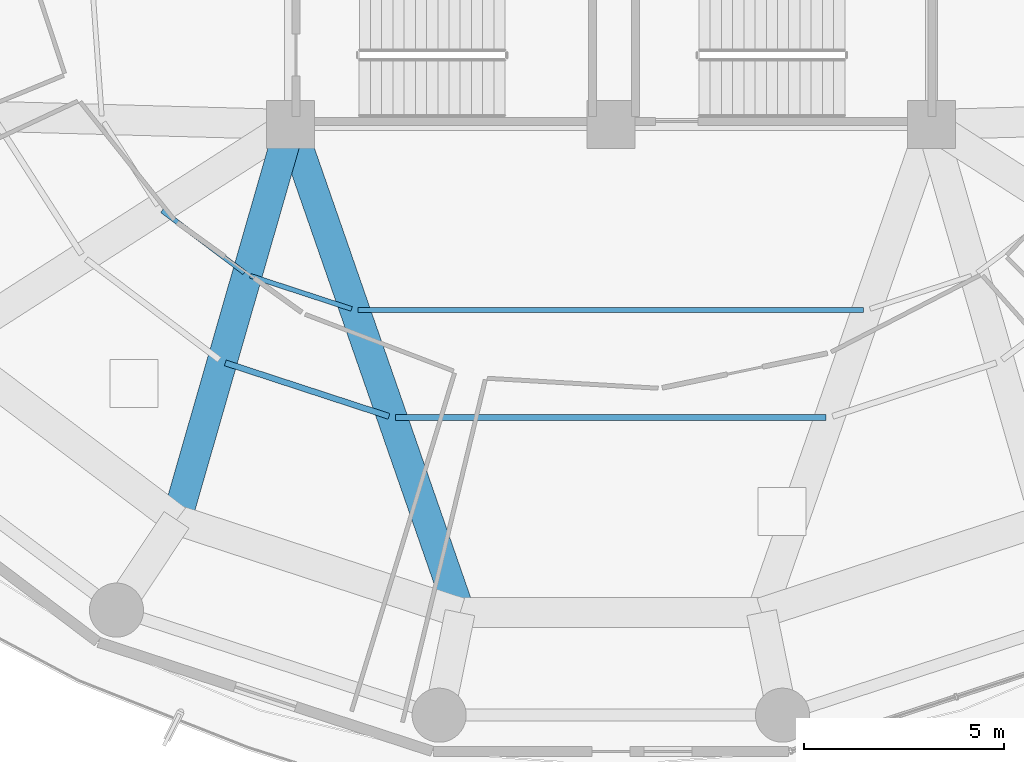
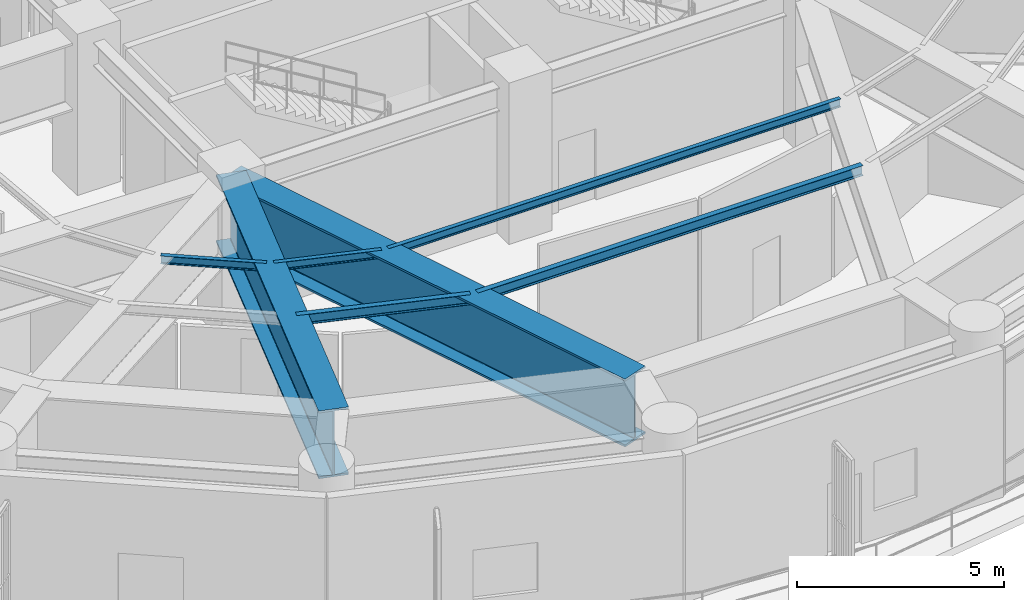
# One storey, part 5 of 34: 7 beams.
"""IFC4 building model written with IfcOpenShell, lengths in metres."""

from ifc_helpers import new_model, si_unit, direction, frame, origin, origin_2d, place, context, subcontext, project, spatial, i_section, extrude, material, material_profile, profile_set, type_object, element, save


model = new_model("IFC4")

# Units and contexts
model_context = context("Model", 3, precision=1e-05, world=origin(), true_north=direction((0.0, 1.0)))
body_context = subcontext(model_context, "Body", "Model", "MODEL_VIEW")
ifc_project = project(units=[si_unit("LENGTHUNIT", "METRE"), si_unit("AREAUNIT", "SQUARE_METRE"), si_unit("VOLUMEUNIT", "CUBIC_METRE"), si_unit("PLANEANGLEUNIT", "RADIAN"), si_unit("MASSUNIT", "GRAM", prefix="KILO")], contexts=[model_context])

# Site, building, storey
site_placement = place(None, origin())
site = spatial("IfcSite", under=ifc_project, at=site_placement, CompositionType="ELEMENT")
building_placement = place(site_placement, origin())
building = spatial("IfcBuilding", under=site, at=building_placement, Name="Kelanora Arch Commons", CompositionType="ELEMENT")
storey_placement = place(building_placement, frame((0.0, 0.0, 125.10009765625)))
storey = spatial("IfcBuildingStorey", under=building, at=storey_placement, Name="L32", CompositionType="ELEMENT", Elevation=125.10009765625)

# Beams
ifc_material = material(Name="Steel S355", Category="steel")
ifc_material_profile_1 = material_profile(ifc_material, i_section(OverallWidth=0.14990234375, OverallDepth=0.300048828125, WebThickness=0.007080078125, FlangeThickness=0.0107421875, FilletRadius=0.014892578125, at=origin_2d()), Name="IPE300")
ifc_profile_set_1 = profile_set([ifc_material_profile_1], Name="Steel S355")
beam_type_1 = type_object("IfcBeamType", Name="BM-JST-01", PredefinedType="JOIST", material=ifc_profile_set_1)
beam_1_placement = place(storey_placement, frame((64.376708984375, 45.051513671875, 4.2099609375), z_axis=(0.950469179307, -0.310818820518, 0.0), x_axis=(0.310818820518, 0.950469179307, 0.0)))
element("IfcBeam", 1, at=beam_1_placement, inside=storey, type_object=beam_type_1, Name="Secondary Chord Joist BJB-24 L32", PredefinedType="JOIST", context=body_context, shape_type="SweptSolid", body=[
    extrude(i_section(OverallWidth=0.14990234375, OverallDepth=0.300048828125, WebThickness=0.007080078125, FlangeThickness=0.0107421875, FilletRadius=0.014892578125, at=origin_2d()), origin(), (0.0, 0.0, 1.0), 4.296630859375),
])
beam_2_placement = place(storey_placement, frame((68.626220703125, 43.689453125, 4.2099609375), z_axis=(1.0, 0.0, 0.0), x_axis=(0.0, 1.0, 0.0)))
element("IfcBeam", 2, at=beam_2_placement, inside=storey, type_object=beam_type_1, Name="Secondary Chord Joist BJB-26 L32", PredefinedType="JOIST", context=body_context, shape_type="SweptSolid", body=[
    extrude(i_section(OverallWidth=0.14990234375, OverallDepth=0.300048828125, WebThickness=0.007080078125, FlangeThickness=0.0107421875, FilletRadius=0.014892578125, at=origin_2d()), origin(), (0.0, 0.0, 1.0), 10.74755859375),
])
ifc_material_profile_2 = material_profile(ifc_material, i_section(OverallWidth=0.1201171875, OverallDepth=0.239990234375, WebThickness=0.006103515625, FlangeThickness=0.009765625, FilletRadius=0.014892578125, at=origin_2d()), Name="IPE240")
ifc_profile_set_2 = profile_set([ifc_material_profile_2], Name="Steel S355")
beam_type_2 = type_object("IfcBeamType", Name="BM-JST-02", PredefinedType="JOIST", material=ifc_profile_set_2)
beam_3_placement = place(storey_placement, frame((62.796875, 48.8505859375, 4.239990234375), z_axis=(0.798484118859, -0.602015873487, 0.0), x_axis=(0.602015873487, 0.798484118859, 0.0)))
element("IfcBeam", 3, at=beam_3_placement, inside=storey, type_object=beam_type_2, Name="Secondary Chord Joist BJA-22 L32", PredefinedType="JOIST", context=body_context, shape_type="SweptSolid", body=[
    extrude(i_section(OverallWidth=0.1201171875, OverallDepth=0.239990234375, WebThickness=0.006103515625, FlangeThickness=0.009765625, FilletRadius=0.014892578125, at=origin_2d()), origin(), (0.0, 0.0, 1.0), 2.57470703125),
])
beam_4_placement = place(storey_placement, frame((65.001708984375, 47.222900390625, 4.239990234375), z_axis=(0.950458806818, -0.310850537302, 0.0), x_axis=(0.310850537302, 0.950458806818, 0.0)))
element("IfcBeam", 4, at=beam_4_placement, inside=storey, type_object=beam_type_2, Name="Secondary Chord Joist BJA-24 L32", PredefinedType="JOIST", context=body_context, shape_type="SweptSolid", body=[
    extrude(i_section(OverallWidth=0.1201171875, OverallDepth=0.239990234375, WebThickness=0.006103515625, FlangeThickness=0.009765625, FilletRadius=0.014892578125, at=origin_2d()), origin(), (0.0, 0.0, 1.0), 2.658447265625),
])
beam_5_placement = place(storey_placement, frame((67.6943359375, 46.3701171875, 4.239990234375), z_axis=(1.0, 0.0, 0.0), x_axis=(0.0, 1.0, 0.0)))
element("IfcBeam", 5, at=beam_5_placement, inside=storey, type_object=beam_type_2, Name="Secondary Chord Joist BJA-26 L32", PredefinedType="JOIST", context=body_context, shape_type="SweptSolid", body=[
    extrude(i_section(OverallWidth=0.1201171875, OverallDepth=0.239990234375, WebThickness=0.006103515625, FlangeThickness=0.009765625, FilletRadius=0.014892578125, at=origin_2d()), origin(), (0.0, 0.0, 1.0), 12.611328125),
])
ifc_material_profile_3 = material_profile(ifc_material, i_section(OverallWidth=0.75, OverallDepth=2.0, WebThickness=0.034912109375, FlangeThickness=0.06005859375, FilletRadius=0.028076171875, at=origin_2d()), Name="PG2000x750")
ifc_profile_set_3 = profile_set([ifc_material_profile_3], Name="Steel S355")
beam_type_3 = type_object("IfcBeamType", Name="BM-XFER-SET", PredefinedType="USERDEFINED", material=ifc_profile_set_3)
beam_6_placement = place(storey_placement, frame((66.0, 51.0, 3.35986328125), z_axis=(-0.276525880065, -0.961006471182, 0.0), x_axis=(0.961006471182, -0.276525880065, 0.0)))
element("IfcBeam", 6, at=beam_6_placement, inside=storey, type_object=beam_type_3, Name="Setback Radial Transfer Girder BRI-24 L32", ObjectType="TRANSFER_GIRDER", PredefinedType="USERDEFINED", context=body_context, shape_type="SweptSolid", body=[
    extrude(i_section(OverallWidth=0.75, OverallDepth=2.0, WebThickness=0.034912109375, FlangeThickness=0.06005859375, FilletRadius=0.028076171875, at=origin_2d()), origin(), (0.0, 0.0, 1.0), 10.2705078125),
])
beam_7_placement = place(storey_placement, frame((66.0, 51.0, 3.35986328125), z_axis=(0.328341500991, -0.94455908165, 0.0), x_axis=(0.94455908165, 0.328341500991, 0.0)))
element("IfcBeam", 7, at=beam_7_placement, inside=storey, type_object=beam_type_3, Name="Setback Radial Transfer Girder BRI-26 L32", ObjectType="TRANSFER_GIRDER", PredefinedType="USERDEFINED", context=body_context, shape_type="SweptSolid", body=[
    extrude(i_section(OverallWidth=0.75, OverallDepth=2.0, WebThickness=0.034912109375, FlangeThickness=0.06005859375, FilletRadius=0.028076171875, at=origin_2d()), origin(), (0.0, 0.0, 1.0), 12.899169921875),
])

save(model, "model.ifc")
